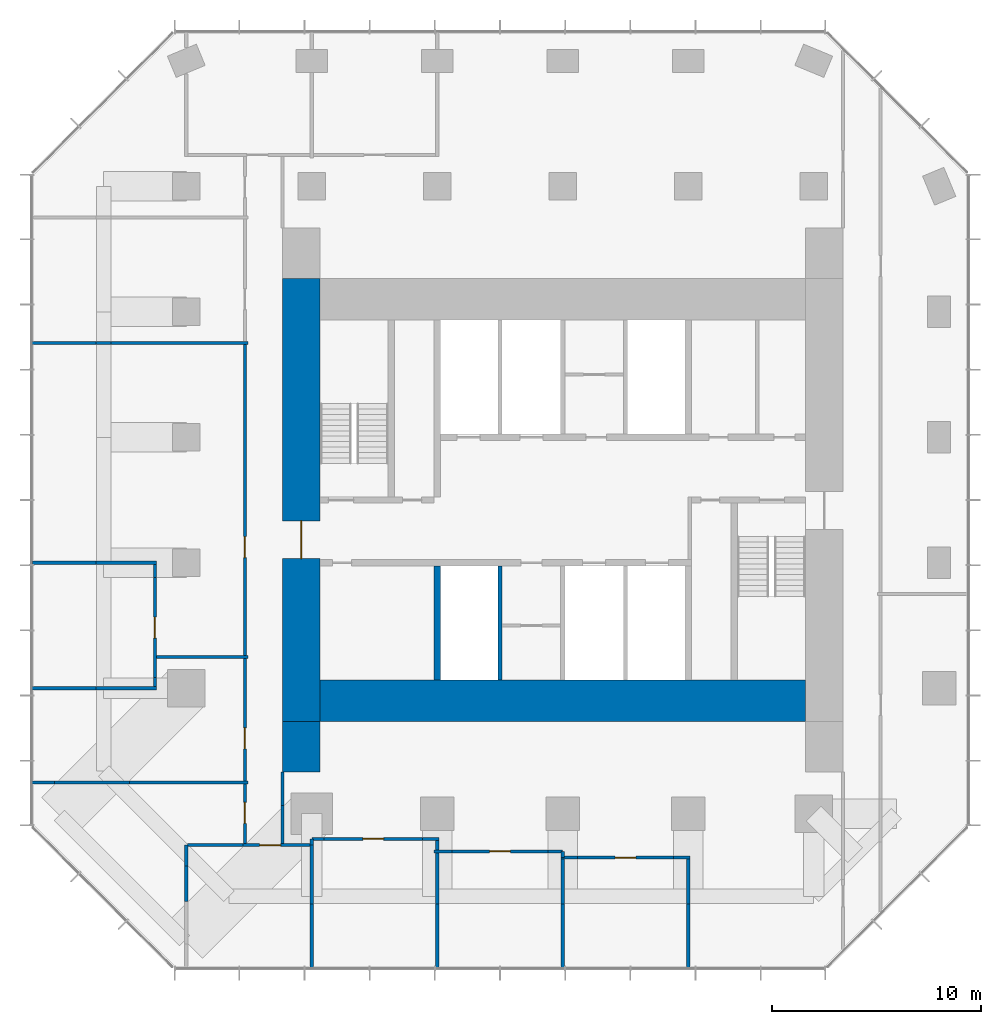
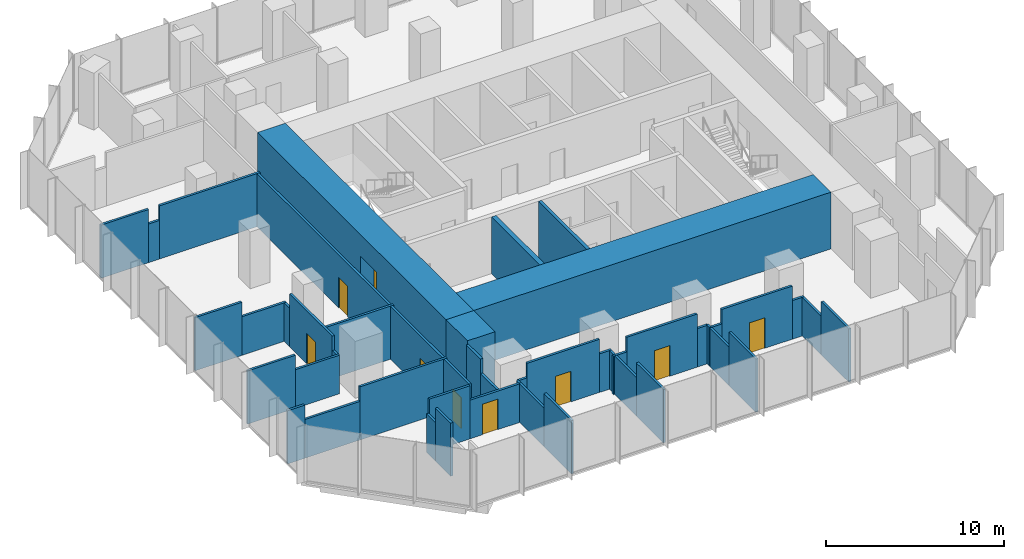
# One storey, part 8 of 11: 48 walls, 9 doors, 9 openings.
"""IFC4 building model written with IfcOpenShell, lengths in metres."""

from ifc_helpers import new_model, si_unit, direction, frame, frame_2d, origin, place, context, subcontext, project, spatial, rectangle, extrude, material, layer, layer_set, type_object, element, fill, save


model = new_model("IFC4")

# Units and contexts
model_context = context("Model", 3, precision=1e-05, world=origin(), true_north=direction((0.0, 1.0)))
body_context = subcontext(model_context, "Body", "Model", "MODEL_VIEW")
ifc_project = project(units=[si_unit("LENGTHUNIT", "METRE"), si_unit("AREAUNIT", "SQUARE_METRE"), si_unit("VOLUMEUNIT", "CUBIC_METRE"), si_unit("PLANEANGLEUNIT", "RADIAN"), si_unit("MASSUNIT", "GRAM", prefix="KILO")], contexts=[model_context])

# Site, building, storey
site_placement = place(None, origin())
site = spatial("IfcSite", under=ifc_project, at=site_placement, CompositionType="ELEMENT")
building_placement = place(site_placement, origin())
building = spatial("IfcBuilding", under=site, at=building_placement, Name="Highveld Stack Headquarters", CompositionType="ELEMENT")
storey_placement = place(building_placement, frame((0.0, 0.0, 224.0)))
storey = spatial("IfcBuildingStorey", under=building, at=storey_placement, Name="L55", CompositionType="ELEMENT", Elevation=224.0)

# Wall, opening, door
ifc_material_1 = material(Name="Concrete C60/75", Category="concrete")
ifc_layer_1 = layer(ifc_material_1, 1.800048828125)
ifc_layer_set_1 = layer_set([ifc_layer_1], Name="Concrete C60/75")
wall_type_1 = type_object("IfcWallType", Name="CORE WALL 1800 C60/75", PredefinedType="SHEAR", material=ifc_layer_set_1)
wall_1_placement = place(storey_placement, frame((-6.5, -7.60009765625, 0.0), z_axis=(0.0, 0.0, 1.0), x_axis=(0.0, 1.0, 0.0)))
wall_1 = element("IfcWall", 1, at=wall_1_placement, inside=storey, type_object=wall_type_1, Name="Core wall W L55", PredefinedType="SHEAR", context=body_context, shape_type="SweptSolid", body=[
    extrude(rectangle(XDim=21.2001953125, YDim=1.800048828125, at=frame_2d((10.60009765625, 0.0))), origin(), (0.0, 0.0, 1.0), 3.89990234375),
])
opening_1_placement = place(wall_1_placement, frame((7.800048828125, 0.0, 0.0)))
opening_1 = element("IfcOpeningElement", 2, at=opening_1_placement, cuts=wall_1, Name="Opening L55-01", PredefinedType="OPENING", context=body_context, shape_type="SweptSolid", body=[
    extrude(rectangle(XDim=1.800048828125, YDim=2.39990234375, at=frame_2d((0.89990234375, 1.199951171875))), frame((0.0, 0.909912109375, 0.0), z_axis=(0.0, -1.0, 0.0), x_axis=(1.0, 0.0, 0.0)), (0.0, 0.0, 1.0), 1.820068359375),
])
ifc_material_2 = material(Name="Steel fire door", Category="steel")
door_type_1 = type_object("IfcDoorType", Name="LOBBY FIRE DOOR D4 1800x2400", OperationType="DOUBLE_DOOR_SINGLE_SWING", PredefinedType="DOOR", material=ifc_material_2)
door_1_placement = place(opening_1_placement, origin())
door_1 = element("IfcDoor", 3, at=door_1_placement, inside=storey, type_object=door_type_1, Name="Core west door L55", OperationType="DOUBLE_DOOR_SINGLE_SWING", OverallHeight=2.39990234375, OverallWidth=1.800048828125, PredefinedType="DOOR", context=body_context, shape_type="SweptSolid", body=[
    extrude(rectangle(XDim=1.800048828125, YDim=2.39990234375, at=frame_2d((0.89990234375, 1.199951171875))), frame((0.0, 0.02490234375, 0.0), z_axis=(0.0, -1.0, 0.0), x_axis=(1.0, 0.0, 0.0)), (0.0, 0.0, 1.0), 0.050048828125),
])
fill(opening_1, door_1)

# Walls
ifc_material_3 = material(Name="Concrete C60/75", Category="concrete")
ifc_layer_2 = layer(ifc_material_3, 2.0)
ifc_layer_set_2 = layer_set([ifc_layer_2], Name="Concrete C60/75")
wall_type_2 = type_object("IfcWallType", Name="CORE WALL 2000 C60/75", PredefinedType="SHEAR", material=ifc_layer_set_2)
wall_2_placement = place(storey_placement, frame((-5.60009765625, -6.60009765625, 0.0), z_axis=(0.0, 0.0, 1.0), x_axis=(1.0, 0.0, 0.0)))
element("IfcWall", 4, at=wall_2_placement, inside=storey, type_object=wall_type_2, Name="Core wall S L55", PredefinedType="SHEAR", context=body_context, shape_type="SweptSolid", body=[
    extrude(rectangle(XDim=23.2001953125, YDim=2.0, at=frame_2d((11.60009765625, 0.0))), origin(), (0.0, 0.0, 1.0), 3.89990234375),
])
ifc_material_4 = material(Name="Concrete C60/75", Category="concrete")
ifc_layer_3 = layer(ifc_material_4, 0.300048828125)
ifc_layer_set_3 = layer_set([ifc_layer_3], Name="Concrete C60/75")
wall_type_3 = type_object("IfcWallType", Name="CORE WALL 300 C60/75", PredefinedType="SHEAR", material=ifc_layer_set_3)
wall_3_placement = place(storey_placement, frame((0.0, -5.60009765625, 0.0), z_axis=(0.0, 0.0, 1.0), x_axis=(0.0, 1.0, 0.0)))
element("IfcWall", 5, at=wall_3_placement, inside=storey, type_object=wall_type_3, Name="Core wall I-X0S L55", PredefinedType="SHEAR", context=body_context, shape_type="SweptSolid", body=[
    extrude(rectangle(XDim=5.4501953125, YDim=0.300048828125, at=frame_2d((2.72509765625, 0.0))), origin(), (0.0, 0.0, 1.0), 3.89990234375),
])
ifc_material_5 = material(Name="Concrete C60/75", Category="concrete")
ifc_layer_4 = layer(ifc_material_5, 1.800048828125)
ifc_layer_set_4 = layer_set([ifc_layer_4], Name="Concrete C60/75")
wall_type_4 = type_object("IfcWallType", Name="CORE WING WALL 1800 C60/75", PredefinedType="SHEAR", material=ifc_layer_set_4)
wall_4_placement = place(storey_placement, frame((-6.5, -10.0, 0.0), z_axis=(0.0, 0.0, 1.0), x_axis=(0.0, 1.0, 0.0)))
element("IfcWall", 6, at=wall_4_placement, inside=storey, type_object=wall_type_4, Name="Core wing wall WS L55", PredefinedType="SHEAR", context=body_context, shape_type="SweptSolid", body=[
    extrude(rectangle(XDim=2.39990234375, YDim=1.800048828125, at=frame_2d((1.199951171875, 0.0))), origin(), (0.0, 0.0, 1.0), 3.89990234375),
])
ifc_material_6 = material(Name="Concrete blockwork, fair-faced", Category="masonry")
ifc_layer_5 = layer(ifc_material_6, 0.199951171875)
ifc_layer_set_5 = layer_set([ifc_layer_5], Name="Concrete blockwork, fair-faced")
wall_type_5 = type_object("IfcWallType", Name="LIFT SHAFT ENCLOSURE WALL 200 BLOCKWORK", PredefinedType="SOLIDWALL", material=ifc_layer_set_5)
wall_5_placement = place(storey_placement, frame((3.0, -5.60009765625, 0.0), z_axis=(0.0, 0.0, 1.0), x_axis=(0.0, 1.0, 0.0)))
element("IfcWall", 7, at=wall_5_placement, inside=storey, type_object=wall_type_5, Name="Lift shaft wall L55", PredefinedType="SOLIDWALL", context=body_context, shape_type="SweptSolid", body=[
    extrude(rectangle(XDim=5.4501953125, YDim=0.199951171875, at=frame_2d((2.72509765625, 0.0))), origin(), (0.0, 0.0, 1.0), 3.89990234375),
])
ifc_material_7 = material(Name="Gypsum plasterboard on steel studs", Category="steel")
ifc_layer_6 = layer(ifc_material_7, 0.14990234375)
ifc_layer_set_6 = layer_set([ifc_layer_6], Name="Gypsum plasterboard on steel studs")
wall_type_6 = type_object("IfcWallType", Name="PARTITION 150 PLASTERBOARD", PredefinedType="PARTITIONING", material=ifc_layer_set_6)
wall_6_placement = place(storey_placement, frame((5.925048828125, -14.10009765625, 0.0), z_axis=(0.0, 0.0, 1.0), x_axis=(1.0, 0.0, 0.0)))
element("IfcWall", 8, at=wall_6_placement, inside=storey, type_object=wall_type_6, Name="Partition Focus room L55", PredefinedType="PARTITIONING", context=body_context, shape_type="SweptSolid", body=[
    extrude(rectangle(XDim=0.784912109375, YDim=0.14990234375, at=frame_2d((0.392578125, 0.0))), origin(), (0.0, 0.0, 1.0), 2.64990234375),
])

# Wall, opening, door
wall_7_placement = place(storey_placement, frame((6.7099609375, -14.10009765625, 0.0), z_axis=(0.0, 0.0, 1.0), x_axis=(1.0, 0.0, 0.0)))
wall_7 = element("IfcWall", 9, at=wall_7_placement, inside=storey, type_object=wall_type_6, Name="Partition Focus room L55", PredefinedType="PARTITIONING", context=body_context, shape_type="SweptSolid", body=[
    extrude(rectangle(XDim=4.580078125, YDim=0.14990234375, at=frame_2d((2.2900390625, 0.0))), origin(), (0.0, 0.0, 1.0), 3.64990234375),
])
opening_2_placement = place(wall_7_placement, frame((1.7900390625, 0.0, 0.0)))
opening_2 = element("IfcOpeningElement", 10, at=opening_2_placement, cuts=wall_7, Name="Opening L55-17", PredefinedType="OPENING", context=body_context, shape_type="SweptSolid", body=[
    extrude(rectangle(XDim=1.0, YDim=2.10009765625, at=frame_2d((0.5, 1.050048828125))), frame((0.0, 0.0849609375, 0.0), z_axis=(0.0, -1.0, 0.0), x_axis=(1.0, 0.0, 0.0)), (0.0, 0.0, 1.0), 0.169921875),
])
ifc_material_8 = material(Name="Timber door, oiled ash", Category="wood")
door_type_2 = type_object("IfcDoorType", Name="ROOM DOOR D6 1000x2100", OperationType="SINGLE_SWING_LEFT", PredefinedType="DOOR", material=ifc_material_8)
door_2_placement = place(opening_2_placement, origin())
door_2 = element("IfcDoor", 11, at=door_2_placement, inside=storey, type_object=door_type_2, Name="Focus room door 1 L55", OperationType="SINGLE_SWING_RIGHT", OverallHeight=2.10009765625, OverallWidth=1.0, PredefinedType="DOOR", context=body_context, shape_type="SweptSolid", body=[
    extrude(rectangle(XDim=1.0, YDim=2.10009765625, at=frame_2d((0.5, 1.050048828125))), frame((0.0, 0.02490234375, 0.0), z_axis=(0.0, -1.0, 0.0), x_axis=(1.0, 0.0, 0.0)), (0.0, 0.0, 1.0), 0.050048828125),
])
fill(opening_2, door_2)

# Walls
wall_8_placement = place(storey_placement, frame((11.2900390625, -14.10009765625, 0.0), z_axis=(0.0, 0.0, 1.0), x_axis=(1.0, 0.0, 0.0)))
element("IfcWall", 12, at=wall_8_placement, inside=storey, type_object=wall_type_6, Name="Partition Focus room L55", PredefinedType="PARTITIONING", context=body_context, shape_type="SweptSolid", body=[
    extrude(rectangle(XDim=0.784912109375, YDim=0.14990234375, at=frame_2d((0.392578125, 0.0))), origin(), (0.0, 0.0, 1.0), 2.64990234375),
])
wall_9_placement = place(storey_placement, frame((-0.14990234375, -13.800048828125, 0.0), z_axis=(0.0, 0.0, 1.0), x_axis=(1.0, 0.0, 0.0)))
element("IfcWall", 13, at=wall_9_placement, inside=storey, type_object=wall_type_6, Name="Partition Print room L55", PredefinedType="PARTITIONING", context=body_context, shape_type="SweptSolid", body=[
    extrude(rectangle(XDim=0.85986328125, YDim=0.14990234375, at=frame_2d((0.429931640625, 0.0))), origin(), (0.0, 0.0, 1.0), 2.64990234375),
])

# Wall, opening, door
wall_10_placement = place(storey_placement, frame((0.7099609375, -13.800048828125, 0.0), z_axis=(0.0, 0.0, 1.0), x_axis=(1.0, 0.0, 0.0)))
wall_10 = element("IfcWall", 14, at=wall_10_placement, inside=storey, type_object=wall_type_6, Name="Partition Print room L55", PredefinedType="PARTITIONING", context=body_context, shape_type="SweptSolid", body=[
    extrude(rectangle(XDim=4.580078125, YDim=0.14990234375, at=frame_2d((2.2900390625, 0.0))), origin(), (0.0, 0.0, 1.0), 3.64990234375),
])
opening_3_placement = place(wall_10_placement, frame((1.7900390625, 0.0, 0.0)))
opening_3 = element("IfcOpeningElement", 15, at=opening_3_placement, cuts=wall_10, Name="Opening L55-16", PredefinedType="OPENING", context=body_context, shape_type="SweptSolid", body=[
    extrude(rectangle(XDim=1.0, YDim=2.10009765625, at=frame_2d((0.5, 1.050048828125))), frame((0.0, 0.0849609375, 0.0), z_axis=(0.0, -1.0, 0.0), x_axis=(1.0, 0.0, 0.0)), (0.0, 0.0, 1.0), 0.169921875),
])
door_3_placement = place(opening_3_placement, origin())
door_3 = element("IfcDoor", 16, at=door_3_placement, inside=storey, type_object=door_type_2, Name="Print room door 1 L55", OperationType="SINGLE_SWING_LEFT", OverallHeight=2.10009765625, OverallWidth=1.0, PredefinedType="DOOR", context=body_context, shape_type="SweptSolid", body=[
    extrude(rectangle(XDim=1.0, YDim=2.10009765625, at=frame_2d((0.5, 1.050048828125))), frame((0.0, 0.02490234375, 0.0), z_axis=(0.0, -1.0, 0.0), x_axis=(1.0, 0.0, 0.0)), (0.0, 0.0, 1.0), 0.050048828125),
])
fill(opening_3, door_3)

# Walls
wall_11_placement = place(storey_placement, frame((5.2900390625, -13.800048828125, 0.0), z_axis=(0.0, 0.0, 1.0), x_axis=(1.0, 0.0, 0.0)))
element("IfcWall", 17, at=wall_11_placement, inside=storey, type_object=wall_type_6, Name="Partition Print room L55", PredefinedType="PARTITIONING", context=body_context, shape_type="SweptSolid", body=[
    extrude(rectangle(XDim=0.7099609375, YDim=0.14990234375, at=frame_2d((0.35498046875, 0.0))), origin(), (0.0, 0.0, 1.0), 2.64990234375),
])
wall_12_placement = place(storey_placement, frame((-11.93505859375, -13.5, 0.0), z_axis=(0.0, 0.0, 1.0), x_axis=(1.0, 0.0, 0.0)))
element("IfcWall", 18, at=wall_12_placement, inside=storey, type_object=wall_type_6, Name="Partition Quiet room L55", PredefinedType="PARTITIONING", context=body_context, shape_type="SweptSolid", body=[
    extrude(rectangle(XDim=2.64306640625, YDim=0.14990234375, at=frame_2d((1.321533203125, 0.0))), origin(), (0.0, 0.0, 1.0), 3.64990234375),
])

# Wall, opening, door
wall_13_placement = place(storey_placement, frame((-9.2919921875, -13.5, 0.0), z_axis=(0.0, 0.0, 1.0), x_axis=(1.0, 0.0, 0.0)))
wall_13 = element("IfcWall", 19, at=wall_13_placement, inside=storey, type_object=wall_type_6, Name="Partition Quiet room L55", PredefinedType="PARTITIONING", context=body_context, shape_type="SweptSolid", body=[
    extrude(rectangle(XDim=3.217041015625, YDim=0.14990234375, at=frame_2d((1.6083984375, 0.0))), origin(), (0.0, 0.0, 1.0), 2.64990234375),
])
opening_4_placement = place(wall_13_placement, frame((0.800048828125, 0.0, 0.0)))
opening_4 = element("IfcOpeningElement", 20, at=opening_4_placement, cuts=wall_13, Name="Opening L55-14", PredefinedType="OPENING", context=body_context, shape_type="SweptSolid", body=[
    extrude(rectangle(XDim=1.0, YDim=2.10009765625, at=frame_2d((0.5, 1.050048828125))), frame((0.0, 0.0849609375, 0.0), z_axis=(0.0, -1.0, 0.0), x_axis=(1.0, 0.0, 0.0)), (0.0, 0.0, 1.0), 0.169921875),
])
door_4_placement = place(opening_4_placement, origin())
door_4 = element("IfcDoor", 21, at=door_4_placement, inside=storey, type_object=door_type_2, Name="Quiet room door 1 L55", OperationType="SINGLE_SWING_LEFT", OverallHeight=2.10009765625, OverallWidth=1.0, PredefinedType="DOOR", context=body_context, shape_type="SweptSolid", body=[
    extrude(rectangle(XDim=1.0, YDim=2.10009765625, at=frame_2d((0.5, 1.050048828125))), frame((0.0, 0.02490234375, 0.0), z_axis=(0.0, -1.0, 0.0), x_axis=(1.0, 0.0, 0.0)), (0.0, 0.0, 1.0), 0.050048828125),
])
fill(opening_4, door_4)

# Wall
wall_14_placement = place(storey_placement, frame((-6.0, -13.199951171875, 0.0), z_axis=(0.0, 0.0, 1.0), x_axis=(1.0, 0.0, 0.0)))
element("IfcWall", 22, at=wall_14_placement, inside=storey, type_object=wall_type_6, Name="Partition Tea kitchen L55", PredefinedType="PARTITIONING", context=body_context, shape_type="SweptSolid", body=[
    extrude(rectangle(XDim=0.592041015625, YDim=0.14990234375, at=frame_2d((0.2958984375, 0.0))), origin(), (0.0, 0.0, 1.0), 2.64990234375),
])

# Wall, opening, door
wall_15_placement = place(storey_placement, frame((-5.407958984375, -13.199951171875, 0.0), z_axis=(0.0, 0.0, 1.0), x_axis=(1.0, 0.0, 0.0)))
wall_15 = element("IfcWall", 23, at=wall_15_placement, inside=storey, type_object=wall_type_6, Name="Partition Tea kitchen L55", PredefinedType="PARTITIONING", context=body_context, shape_type="SweptSolid", body=[
    extrude(rectangle(XDim=4.697998046875, YDim=0.14990234375, at=frame_2d((2.34912109375, 0.0))), origin(), (0.0, 0.0, 1.0), 3.64990234375),
])
opening_5_placement = place(wall_15_placement, frame((1.84912109375, 0.0, 0.0)))
opening_5 = element("IfcOpeningElement", 24, at=opening_5_placement, cuts=wall_15, Name="Opening L55-15", PredefinedType="OPENING", context=body_context, shape_type="SweptSolid", body=[
    extrude(rectangle(XDim=1.0, YDim=2.10009765625, at=frame_2d((0.5, 1.050048828125))), frame((0.0, 0.0849609375, 0.0), z_axis=(0.0, -1.0, 0.0), x_axis=(1.0, 0.0, 0.0)), (0.0, 0.0, 1.0), 0.169921875),
])
door_5_placement = place(opening_5_placement, origin())
door_5 = element("IfcDoor", 25, at=door_5_placement, inside=storey, type_object=door_type_2, Name="Tea kitchen door 1 L55", OperationType="SINGLE_SWING_RIGHT", OverallHeight=2.10009765625, OverallWidth=1.0, PredefinedType="DOOR", context=body_context, shape_type="SweptSolid", body=[
    extrude(rectangle(XDim=1.0, YDim=2.10009765625, at=frame_2d((0.5, 1.050048828125))), frame((0.0, 0.02490234375, 0.0), z_axis=(0.0, -1.0, 0.0), x_axis=(1.0, 0.0, 0.0)), (0.0, 0.0, 1.0), 0.050048828125),
])
fill(opening_5, door_5)

# Walls
wall_16_placement = place(storey_placement, frame((-0.7099609375, -13.199951171875, 0.0), z_axis=(0.0, 0.0, 1.0), x_axis=(1.0, 0.0, 0.0)))
element("IfcWall", 26, at=wall_16_placement, inside=storey, type_object=wall_type_6, Name="Partition Tea kitchen L55", PredefinedType="PARTITIONING", context=body_context, shape_type="SweptSolid", body=[
    extrude(rectangle(XDim=0.784912109375, YDim=0.14990234375, at=frame_2d((0.392578125, 0.0))), origin(), (0.0, 0.0, 1.0), 2.64990234375),
])
wall_17_placement = place(storey_placement, frame((-19.39990234375, -6.0, 0.0), z_axis=(0.0, 0.0, 1.0), x_axis=(1.0, 0.0, 0.0)))
element("IfcWall", 27, at=wall_17_placement, inside=storey, type_object=wall_type_6, Name="Partition Quiet room L55", PredefinedType="PARTITIONING", context=body_context, shape_type="SweptSolid", body=[
    extrude(rectangle(XDim=3.08984375, YDim=0.14990234375, at=frame_2d((1.544921875, 0.0))), origin(), (0.0, 0.0, 1.0), 3.64990234375),
])
wall_18_placement = place(storey_placement, frame((-16.31005859375, -6.0, 0.0), z_axis=(0.0, 0.0, 1.0), x_axis=(1.0, 0.0, 0.0)))
element("IfcWall", 28, at=wall_18_placement, inside=storey, type_object=wall_type_6, Name="Partition Quiet room L55", PredefinedType="PARTITIONING", context=body_context, shape_type="SweptSolid", body=[
    extrude(rectangle(XDim=2.885009765625, YDim=0.14990234375, at=frame_2d((1.4423828125, 0.0))), origin(), (0.0, 0.0, 1.0), 2.64990234375),
])
wall_19_placement = place(storey_placement, frame((-19.35009765625, 0.0, 0.0), z_axis=(0.0, 0.0, 1.0), x_axis=(1.0, 0.0, 0.0)))
element("IfcWall", 29, at=wall_19_placement, inside=storey, type_object=wall_type_6, Name="Partition Quiet room L55", PredefinedType="PARTITIONING", context=body_context, shape_type="SweptSolid", body=[
    extrude(rectangle(XDim=3.0400390625, YDim=0.14990234375, at=frame_2d((1.52001953125, 0.0))), origin(), (0.0, 0.0, 1.0), 3.64990234375),
])
wall_20_placement = place(storey_placement, frame((-16.31005859375, 0.0, 0.0), z_axis=(0.0, 0.0, 1.0), x_axis=(1.0, 0.0, 0.0)))
element("IfcWall", 30, at=wall_20_placement, inside=storey, type_object=wall_type_6, Name="Partition Quiet room L55", PredefinedType="PARTITIONING", context=body_context, shape_type="SweptSolid", body=[
    extrude(rectangle(XDim=2.885009765625, YDim=0.14990234375, at=frame_2d((1.4423828125, 0.0))), origin(), (0.0, 0.0, 1.0), 2.64990234375),
])
wall_21_placement = place(storey_placement, frame((-13.5, -5.925048828125, 0.0), z_axis=(0.0, 0.0, 1.0), x_axis=(0.0, 1.0, 0.0)))
element("IfcWall", 31, at=wall_21_placement, inside=storey, type_object=wall_type_6, Name="Partition Quiet room L55", PredefinedType="PARTITIONING", context=body_context, shape_type="SweptSolid", body=[
    extrude(rectangle(XDim=0.43505859375, YDim=0.14990234375, at=frame_2d((0.217529296875, 0.0))), origin(), (0.0, 0.0, 1.0), 2.64990234375),
])

# Wall, opening, door
wall_22_placement = place(storey_placement, frame((-13.5, -5.489990234375, 0.0), z_axis=(0.0, 0.0, 1.0), x_axis=(0.0, 1.0, 0.0)))
wall_22 = element("IfcWall", 32, at=wall_22_placement, inside=storey, type_object=wall_type_6, Name="Partition Quiet room L55", PredefinedType="PARTITIONING", context=body_context, shape_type="SweptSolid", body=[
    extrude(rectangle(XDim=4.780029296875, YDim=0.14990234375, at=frame_2d((2.39013671875, 0.0))), origin(), (0.0, 0.0, 1.0), 3.64990234375),
])
opening_6_placement = place(wall_22_placement, frame((1.889892578125, 0.0, 0.0)))
opening_6 = element("IfcOpeningElement", 33, at=opening_6_placement, cuts=wall_22, Name="Opening L55-18", PredefinedType="OPENING", context=body_context, shape_type="SweptSolid", body=[
    extrude(rectangle(XDim=1.0, YDim=2.10009765625, at=frame_2d((0.5, 1.050048828125))), frame((0.0, 0.0849609375, 0.0), z_axis=(0.0, -1.0, 0.0), x_axis=(1.0, 0.0, 0.0)), (0.0, 0.0, 1.0), 0.169921875),
])
door_6_placement = place(opening_6_placement, origin())
door_6 = element("IfcDoor", 34, at=door_6_placement, inside=storey, type_object=door_type_2, Name="Quiet room door 1 L55", OperationType="SINGLE_SWING_LEFT", OverallHeight=2.10009765625, OverallWidth=1.0, PredefinedType="DOOR", context=body_context, shape_type="SweptSolid", body=[
    extrude(rectangle(XDim=1.0, YDim=2.10009765625, at=frame_2d((0.5, 1.050048828125))), frame((0.0, 0.02490234375, 0.0), z_axis=(0.0, -1.0, 0.0), x_axis=(1.0, 0.0, 0.0)), (0.0, 0.0, 1.0), 0.050048828125),
])
fill(opening_6, door_6)

# Walls
wall_23_placement = place(storey_placement, frame((-13.5, -0.7099609375, 0.0), z_axis=(0.0, 0.0, 1.0), x_axis=(0.0, 1.0, 0.0)))
element("IfcWall", 35, at=wall_23_placement, inside=storey, type_object=wall_type_6, Name="Partition Quiet room L55", PredefinedType="PARTITIONING", context=body_context, shape_type="SweptSolid", body=[
    extrude(rectangle(XDim=0.635009765625, YDim=0.14990234375, at=frame_2d((0.3173828125, 0.0))), origin(), (0.0, 0.0, 1.0), 2.64990234375),
])
wall_24_placement = place(storey_placement, frame((-12.0, -16.2080078125, 0.0), z_axis=(0.0, 0.0, 1.0), x_axis=(0.0, 1.0, 0.0)))
element("IfcWall", 36, at=wall_24_placement, inside=storey, type_object=wall_type_6, Name="Partition Quiet room L55", PredefinedType="PARTITIONING", context=body_context, shape_type="SweptSolid", body=[
    extrude(rectangle(XDim=1.718017578125, YDim=0.14990234375, at=frame_2d((0.85888671875, 0.0))), origin(), (0.0, 0.0, 1.0), 3.64990234375),
])
wall_25_placement = place(storey_placement, frame((-12.0, -14.489990234375, 0.0), z_axis=(0.0, 0.0, 1.0), x_axis=(0.0, 1.0, 0.0)))
element("IfcWall", 37, at=wall_25_placement, inside=storey, type_object=wall_type_6, Name="Partition Quiet room L55", PredefinedType="PARTITIONING", context=body_context, shape_type="SweptSolid", body=[
    extrude(rectangle(XDim=0.989990234375, YDim=0.14990234375, at=frame_2d((0.4951171875, 0.0))), origin(), (0.0, 0.0, 1.0), 2.64990234375),
])
wall_26_placement = place(storey_placement, frame((-6.0, -19.39990234375, 0.0), z_axis=(0.0, 0.0, 1.0), x_axis=(0.0, 1.0, 0.0)))
element("IfcWall", 38, at=wall_26_placement, inside=storey, type_object=wall_type_6, Name="Partition Quiet room / Tea kitchen L55", PredefinedType="PARTITIONING", context=body_context, shape_type="SweptSolid", body=[
    extrude(rectangle(XDim=3.08984375, YDim=0.14990234375, at=frame_2d((1.544921875, 0.0))), origin(), (0.0, 0.0, 1.0), 3.64990234375),
])
wall_27_placement = place(storey_placement, frame((-6.0, -16.31005859375, 0.0), z_axis=(0.0, 0.0, 1.0), x_axis=(0.0, 1.0, 0.0)))
element("IfcWall", 39, at=wall_27_placement, inside=storey, type_object=wall_type_6, Name="Partition Quiet room / Tea kitchen L55", PredefinedType="PARTITIONING", context=body_context, shape_type="SweptSolid", body=[
    extrude(rectangle(XDim=2.81005859375, YDim=0.14990234375, at=frame_2d((1.405029296875, 0.0))), origin(), (0.0, 0.0, 1.0), 2.64990234375),
])
wall_28_placement = place(storey_placement, frame((-6.0, -13.5, 0.0), z_axis=(0.0, 0.0, 1.0), x_axis=(0.0, 1.0, 0.0)))
element("IfcWall", 40, at=wall_28_placement, inside=storey, type_object=wall_type_6, Name="Partition Tea kitchen L55", PredefinedType="PARTITIONING", context=body_context, shape_type="SweptSolid", body=[
    extrude(rectangle(XDim=0.300048828125, YDim=0.14990234375, at=frame_2d((0.14990234375, 0.0))), origin(), (0.0, 0.0, 1.0), 2.64990234375),
])
wall_29_placement = place(storey_placement, frame((0.0, -19.35009765625, 0.0), z_axis=(0.0, 0.0, 1.0), x_axis=(0.0, 1.0, 0.0)))
element("IfcWall", 41, at=wall_29_placement, inside=storey, type_object=wall_type_6, Name="Partition Print room / Tea kitchen L55", PredefinedType="PARTITIONING", context=body_context, shape_type="SweptSolid", body=[
    extrude(rectangle(XDim=3.0400390625, YDim=0.14990234375, at=frame_2d((1.52001953125, 0.0))), origin(), (0.0, 0.0, 1.0), 3.64990234375),
])
wall_30_placement = place(storey_placement, frame((0.0, -16.31005859375, 0.0), z_axis=(0.0, 0.0, 1.0), x_axis=(0.0, 1.0, 0.0)))
element("IfcWall", 42, at=wall_30_placement, inside=storey, type_object=wall_type_6, Name="Partition Print room / Tea kitchen L55", PredefinedType="PARTITIONING", context=body_context, shape_type="SweptSolid", body=[
    extrude(rectangle(XDim=2.43505859375, YDim=0.14990234375, at=frame_2d((1.217529296875, 0.0))), origin(), (0.0, 0.0, 1.0), 2.64990234375),
])
wall_31_placement = place(storey_placement, frame((0.0, -13.72509765625, 0.0), z_axis=(0.0, 0.0, 1.0), x_axis=(0.0, 1.0, 0.0)))
element("IfcWall", 43, at=wall_31_placement, inside=storey, type_object=wall_type_6, Name="Partition Tea kitchen L55", PredefinedType="PARTITIONING", context=body_context, shape_type="SweptSolid", body=[
    extrude(rectangle(XDim=0.4501953125, YDim=0.14990234375, at=frame_2d((0.22509765625, 0.0))), origin(), (0.0, 0.0, 1.0), 2.64990234375),
])
wall_32_placement = place(storey_placement, frame((6.0, -19.35009765625, 0.0), z_axis=(0.0, 0.0, 1.0), x_axis=(0.0, 1.0, 0.0)))
element("IfcWall", 44, at=wall_32_placement, inside=storey, type_object=wall_type_6, Name="Partition Focus room / Print room L55", PredefinedType="PARTITIONING", context=body_context, shape_type="SweptSolid", body=[
    extrude(rectangle(XDim=3.0400390625, YDim=0.14990234375, at=frame_2d((1.52001953125, 0.0))), origin(), (0.0, 0.0, 1.0), 3.64990234375),
])
wall_33_placement = place(storey_placement, frame((6.0, -16.31005859375, 0.0), z_axis=(0.0, 0.0, 1.0), x_axis=(0.0, 1.0, 0.0)))
element("IfcWall", 45, at=wall_33_placement, inside=storey, type_object=wall_type_6, Name="Partition Focus room / Print room L55", PredefinedType="PARTITIONING", context=body_context, shape_type="SweptSolid", body=[
    extrude(rectangle(XDim=2.135009765625, YDim=0.14990234375, at=frame_2d((1.0673828125, 0.0))), origin(), (0.0, 0.0, 1.0), 2.64990234375),
])
wall_34_placement = place(storey_placement, frame((6.0, -14.10009765625, 0.0), z_axis=(0.0, 0.0, 1.0), x_axis=(0.0, 1.0, 0.0)))
element("IfcWall", 46, at=wall_34_placement, inside=storey, type_object=wall_type_6, Name="Partition Print room L55", PredefinedType="PARTITIONING", context=body_context, shape_type="SweptSolid", body=[
    extrude(rectangle(XDim=0.300048828125, YDim=0.14990234375, at=frame_2d((0.14990234375, 0.0))), origin(), (0.0, 0.0, 1.0), 2.64990234375),
])
wall_35_placement = place(storey_placement, frame((12.0, -19.39990234375, 0.0), z_axis=(0.0, 0.0, 1.0), x_axis=(0.0, 1.0, 0.0)))
element("IfcWall", 47, at=wall_35_placement, inside=storey, type_object=wall_type_6, Name="Partition Focus room L55", PredefinedType="PARTITIONING", context=body_context, shape_type="SweptSolid", body=[
    extrude(rectangle(XDim=3.08984375, YDim=0.14990234375, at=frame_2d((1.544921875, 0.0))), origin(), (0.0, 0.0, 1.0), 3.64990234375),
])
wall_36_placement = place(storey_placement, frame((12.0, -16.31005859375, 0.0), z_axis=(0.0, 0.0, 1.0), x_axis=(0.0, 1.0, 0.0)))
element("IfcWall", 48, at=wall_36_placement, inside=storey, type_object=wall_type_6, Name="Partition Focus room L55", PredefinedType="PARTITIONING", context=body_context, shape_type="SweptSolid", body=[
    extrude(rectangle(XDim=2.135009765625, YDim=0.14990234375, at=frame_2d((1.0673828125, 0.0))), origin(), (0.0, 0.0, 1.0), 2.64990234375),
])
wall_37_placement = place(storey_placement, frame((-19.39990234375, -10.5, 0.0), z_axis=(0.0, 0.0, 1.0), x_axis=(1.0, 0.0, 0.0)))
element("IfcWall", 49, at=wall_37_placement, inside=storey, type_object=wall_type_6, Name="Partition office neighbourhood L55", PredefinedType="PARTITIONING", context=body_context, shape_type="SweptSolid", body=[
    extrude(rectangle(XDim=1.10791015625, YDim=0.14990234375, at=frame_2d((0.553955078125, 0.0))), origin(), (0.0, 0.0, 1.0), 3.64990234375),
])
wall_38_placement = place(storey_placement, frame((-18.2919921875, -10.5, 0.0), z_axis=(0.0, 0.0, 1.0), x_axis=(1.0, 0.0, 0.0)))
element("IfcWall", 50, at=wall_38_placement, inside=storey, type_object=wall_type_6, Name="Partition office neighbourhood L55", PredefinedType="PARTITIONING", context=body_context, shape_type="SweptSolid", body=[
    extrude(rectangle(XDim=3.583984375, YDim=0.14990234375, at=frame_2d((1.7919921875, 0.0))), origin(), (0.0, 0.0, 1.0), 2.64990234375),
])
wall_39_placement = place(storey_placement, frame((-14.7080078125, -10.5, 0.0), z_axis=(0.0, 0.0, 1.0), x_axis=(1.0, 0.0, 0.0)))
element("IfcWall", 51, at=wall_39_placement, inside=storey, type_object=wall_type_6, Name="Partition office neighbourhood L55", PredefinedType="PARTITIONING", context=body_context, shape_type="SweptSolid", body=[
    extrude(rectangle(XDim=5.657958984375, YDim=0.14990234375, at=frame_2d((2.8291015625, 0.0))), origin(), (0.0, 0.0, 1.0), 3.64990234375),
])
wall_40_placement = place(storey_placement, frame((-19.39990234375, 10.5, 0.0), z_axis=(0.0, 0.0, 1.0), x_axis=(1.0, 0.0, 0.0)))
element("IfcWall", 52, at=wall_40_placement, inside=storey, type_object=wall_type_6, Name="Partition office neighbourhood L55", PredefinedType="PARTITIONING", context=body_context, shape_type="SweptSolid", body=[
    extrude(rectangle(XDim=3.08984375, YDim=0.14990234375, at=frame_2d((1.544921875, 0.0))), origin(), (0.0, 0.0, 1.0), 3.64990234375),
])
wall_41_placement = place(storey_placement, frame((-16.31005859375, 10.5, 0.0), z_axis=(0.0, 0.0, 1.0), x_axis=(1.0, 0.0, 0.0)))
element("IfcWall", 53, at=wall_41_placement, inside=storey, type_object=wall_type_6, Name="Partition office neighbourhood L55", PredefinedType="PARTITIONING", context=body_context, shape_type="SweptSolid", body=[
    extrude(rectangle(XDim=0.719970703125, YDim=0.14990234375, at=frame_2d((0.35986328125, 0.0))), origin(), (0.0, 0.0, 1.0), 2.64990234375),
])
wall_42_placement = place(storey_placement, frame((-15.590087890625, 10.5, 0.0), z_axis=(0.0, 0.0, 1.0), x_axis=(1.0, 0.0, 0.0)))
element("IfcWall", 54, at=wall_42_placement, inside=storey, type_object=wall_type_6, Name="Partition office neighbourhood L55", PredefinedType="PARTITIONING", context=body_context, shape_type="SweptSolid", body=[
    extrude(rectangle(XDim=6.5400390625, YDim=0.14990234375, at=frame_2d((3.27001953125, 0.0))), origin(), (0.0, 0.0, 1.0), 3.64990234375),
])
wall_43_placement = place(storey_placement, frame((-13.425048828125, -4.5, 0.0), z_axis=(0.0, 0.0, 1.0), x_axis=(1.0, 0.0, 0.0)))
element("IfcWall", 55, at=wall_43_placement, inside=storey, type_object=wall_type_6, Name="Partition office neighbourhood L55", PredefinedType="PARTITIONING", context=body_context, shape_type="SweptSolid", body=[
    extrude(rectangle(XDim=4.375, YDim=0.14990234375, at=frame_2d((2.1875, 0.0))), origin(), (0.0, 0.0, 1.0), 3.64990234375),
])

# Wall, opening, door
wall_44_placement = place(storey_placement, frame((-9.199951171875, -13.425048828125, 0.0), z_axis=(0.0, 0.0, 1.0), x_axis=(0.0, 1.0, 0.0)))
wall_44 = element("IfcWall", 56, at=wall_44_placement, inside=storey, type_object=wall_type_6, Name="Partition office neighbourhood L55", PredefinedType="PARTITIONING", context=body_context, shape_type="SweptSolid", body=[
    extrude(rectangle(XDim=2.85009765625, YDim=0.14990234375, at=frame_2d((1.425048828125, 0.0))), origin(), (0.0, 0.0, 1.0), 3.64990234375),
])
opening_7_placement = place(wall_44_placement, frame((0.9619140625, 0.0, 0.0)))
opening_7 = element("IfcOpeningElement", 57, at=opening_7_placement, cuts=wall_44, Name="Opening L55-21", PredefinedType="OPENING", context=body_context, shape_type="SweptSolid", body=[
    extrude(rectangle(XDim=1.0, YDim=2.10009765625, at=frame_2d((0.5, 1.050048828125))), frame((0.0, 0.0849609375, 0.0), z_axis=(0.0, -1.0, 0.0), x_axis=(1.0, 0.0, 0.0)), (0.0, 0.0, 1.0), 0.169921875),
])
door_7_placement = place(opening_7_placement, origin())
door_7 = element("IfcDoor", 58, at=door_7_placement, inside=storey, type_object=door_type_2, Name="Office neighbourhood door L55", OperationType="SINGLE_SWING_RIGHT", OverallHeight=2.10009765625, OverallWidth=1.0, PredefinedType="DOOR", context=body_context, shape_type="SweptSolid", body=[
    extrude(rectangle(XDim=1.0, YDim=2.10009765625, at=frame_2d((0.5, 1.050048828125))), frame((0.0, 0.02490234375, 0.0), z_axis=(0.0, -1.0, 0.0), x_axis=(1.0, 0.0, 0.0)), (0.0, 0.0, 1.0), 0.050048828125),
])
fill(opening_7, door_7)

wall_45_placement = place(storey_placement, frame((-9.199951171875, -10.425048828125, 0.0), z_axis=(0.0, 0.0, 1.0), x_axis=(0.0, 1.0, 0.0)))
wall_45 = element("IfcWall", 59, at=wall_45_placement, inside=storey, type_object=wall_type_6, Name="Partition office neighbourhood L55", PredefinedType="PARTITIONING", context=body_context, shape_type="SweptSolid", body=[
    extrude(rectangle(XDim=5.85009765625, YDim=0.14990234375, at=frame_2d((2.925048828125, 0.0))), origin(), (0.0, 0.0, 1.0), 3.64990234375),
])
opening_8_placement = place(wall_45_placement, frame((1.52490234375, 0.0, 0.0)))
opening_8 = element("IfcOpeningElement", 60, at=opening_8_placement, cuts=wall_45, Name="Opening L55-24", PredefinedType="OPENING", context=body_context, shape_type="SweptSolid", body=[
    extrude(rectangle(XDim=1.0, YDim=2.10009765625, at=frame_2d((0.5, 1.050048828125))), frame((0.0, 0.0849609375, 0.0), z_axis=(0.0, -1.0, 0.0), x_axis=(1.0, 0.0, 0.0)), (0.0, 0.0, 1.0), 0.169921875),
])
door_8_placement = place(opening_8_placement, origin())
door_8 = element("IfcDoor", 61, at=door_8_placement, inside=storey, type_object=door_type_2, Name="Office neighbourhood door L55", OperationType="SINGLE_SWING_LEFT", OverallHeight=2.10009765625, OverallWidth=1.0, PredefinedType="DOOR", context=body_context, shape_type="SweptSolid", body=[
    extrude(rectangle(XDim=1.0, YDim=2.10009765625, at=frame_2d((0.5, 1.050048828125))), frame((0.0, 0.02490234375, 0.0), z_axis=(0.0, -1.0, 0.0), x_axis=(1.0, 0.0, 0.0)), (0.0, 0.0, 1.0), 0.050048828125),
])
fill(opening_8, door_8)

wall_46_placement = place(storey_placement, frame((-9.199951171875, -4.425048828125, 0.0), z_axis=(0.0, 0.0, 1.0), x_axis=(0.0, 1.0, 0.0)))
wall_46 = element("IfcWall", 62, at=wall_46_placement, inside=storey, type_object=wall_type_6, Name="Partition office neighbourhood L55", PredefinedType="PARTITIONING", context=body_context, shape_type="SweptSolid", body=[
    extrude(rectangle(XDim=14.85009765625, YDim=0.14990234375, at=frame_2d((7.425048828125, 0.0))), origin(), (0.0, 0.0, 1.0), 3.64990234375),
])
opening_9_placement = place(wall_46_placement, frame((4.675048828125, 0.0, 0.0)))
opening_9 = element("IfcOpeningElement", 63, at=opening_9_placement, cuts=wall_46, Name="Opening L55-25", PredefinedType="OPENING", context=body_context, shape_type="SweptSolid", body=[
    extrude(rectangle(XDim=1.0, YDim=2.10009765625, at=frame_2d((0.5, 1.050048828125))), frame((0.0, 0.0849609375, 0.0), z_axis=(0.0, -1.0, 0.0), x_axis=(1.0, 0.0, 0.0)), (0.0, 0.0, 1.0), 0.169921875),
])
door_9_placement = place(opening_9_placement, origin())
door_9 = element("IfcDoor", 64, at=door_9_placement, inside=storey, type_object=door_type_2, Name="Office neighbourhood door L55", OperationType="SINGLE_SWING_LEFT", OverallHeight=2.10009765625, OverallWidth=1.0, PredefinedType="DOOR", context=body_context, shape_type="SweptSolid", body=[
    extrude(rectangle(XDim=1.0, YDim=2.10009765625, at=frame_2d((0.5, 1.050048828125))), frame((0.0, 0.02490234375, 0.0), z_axis=(0.0, -1.0, 0.0), x_axis=(1.0, 0.0, 0.0)), (0.0, 0.0, 1.0), 0.050048828125),
])
fill(opening_9, door_9)

# Walls
wall_47_placement = place(storey_placement, frame((-7.39990234375, -13.425048828125, 0.0), z_axis=(0.0, 0.0, 1.0), x_axis=(0.0, 1.0, 0.0)))
element("IfcWall", 65, at=wall_47_placement, inside=storey, type_object=wall_type_6, Name="Partition office neighbourhood L55", PredefinedType="PARTITIONING", context=body_context, shape_type="SweptSolid", body=[
    extrude(rectangle(XDim=1.817138671875, YDim=0.14990234375, at=frame_2d((0.90869140625, 0.0))), origin(), (0.0, 0.0, 1.0), 2.64990234375),
])
wall_48_placement = place(storey_placement, frame((-7.39990234375, -11.60791015625, 0.0), z_axis=(0.0, 0.0, 1.0), x_axis=(0.0, 1.0, 0.0)))
element("IfcWall", 66, at=wall_48_placement, inside=storey, type_object=wall_type_6, Name="Partition office neighbourhood L55", PredefinedType="PARTITIONING", context=body_context, shape_type="SweptSolid", body=[
    extrude(rectangle(XDim=1.60791015625, YDim=0.14990234375, at=frame_2d((0.803955078125, 0.0))), origin(), (0.0, 0.0, 1.0), 3.64990234375),
])

save(model, "model.ifc")
